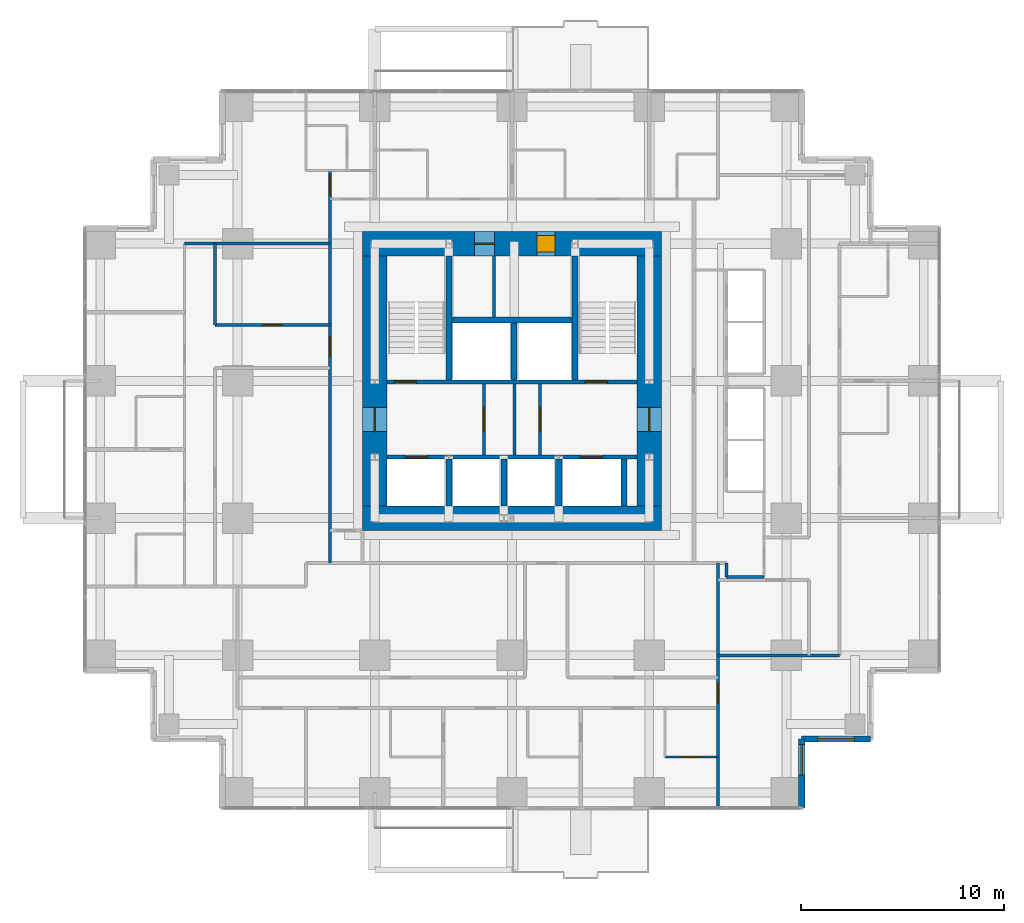
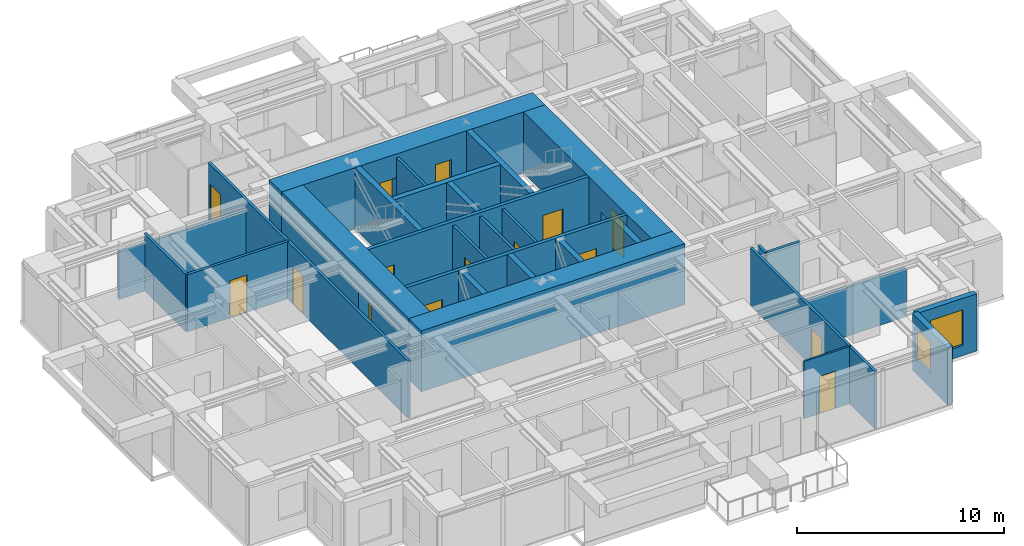
# One storey, part 8 of 12: 29 walls, 15 doors, 2 windows, 17 openings.
"""IFC4 building model written with IfcOpenShell, lengths in metres."""

from ifc_helpers import new_model, si_unit, direction, frame, frame_2d, origin, place, context, subcontext, project, spatial, rectangle, extrude, material, layer, layer_set, type_object, element, fill, save


model = new_model("IFC4")

# Units and contexts
model_context = context("Model", 3, precision=1e-05, world=origin(), true_north=direction((0.0, 1.0)))
body_context = subcontext(model_context, "Body", "Model", "MODEL_VIEW")
ifc_project = project(units=[si_unit("LENGTHUNIT", "METRE"), si_unit("AREAUNIT", "SQUARE_METRE"), si_unit("VOLUMEUNIT", "CUBIC_METRE"), si_unit("PLANEANGLEUNIT", "RADIAN"), si_unit("MASSUNIT", "GRAM", prefix="KILO")], contexts=[model_context])

# Site, building, storey
site_placement = place(None, origin())
site = spatial("IfcSite", under=ifc_project, at=site_placement, CompositionType="ELEMENT")
building_placement = place(site_placement, origin())
building = spatial("IfcBuilding", under=site, at=building_placement, Name="Nyansa Garden Tower", CompositionType="ELEMENT")
storey_placement = place(building_placement, frame((0.0, 0.0, 112.5)))
storey = spatial("IfcBuildingStorey", under=building, at=storey_placement, Name="L30", CompositionType="ELEMENT", Elevation=112.5)

# Wall, openings, doors
ifc_material_1 = material(Name="Concrete C70/85", Category="concrete")
ifc_layer_1 = layer(ifc_material_1, 0.199951171875)
ifc_layer_set_1 = layer_set([ifc_layer_1], Name="Core inner wall CI200")
wall_type_1 = type_object("IfcWallType", Name="Core inner wall CI200", PredefinedType="SHEAR", material=ifc_layer_set_1)
wall_1_placement = place(storey_placement, frame((14.10009765625, 16.5, 0.0), z_axis=(0.0, 0.0, 1.0), x_axis=(1.0, 0.0, 0.0)))
wall_1 = element("IfcWall", 1, at=wall_1_placement, inside=storey, type_object=wall_type_1, Name="Core inner wall L30", PredefinedType="SHEAR", context=body_context, shape_type="SweptSolid", body=[
    extrude(rectangle(XDim=12.2998046875, YDim=0.199951171875, at=frame_2d((6.14990234375, 0.0))), origin(), (0.0, 0.0, 1.0), 3.60009765625),
])
opening_1_placement = place(wall_1_placement, frame((0.89990234375, 0.0, 0.0)))
opening_1 = element("IfcOpeningElement", 2, at=opening_1_placement, cuts=wall_1, Name="Opening LD-F", PredefinedType="OPENING", context=body_context, shape_type="SweptSolid", body=[
    extrude(rectangle(XDim=1.10009765625, YDim=2.199951171875, at=frame_2d((0.550048828125, 1.10009765625))), frame((0.0, 0.10986328125, 0.0), z_axis=(0.0, -1.0, 0.0), x_axis=(1.0, 0.0, 0.0)), (0.0, 0.0, 1.0), 0.219970703125),
])
opening_2_placement = place(wall_1_placement, frame((9.5, 0.0, 0.0)))
opening_2 = element("IfcOpeningElement", 3, at=opening_2_placement, cuts=wall_1, Name="Opening LD-F", PredefinedType="OPENING", context=body_context, shape_type="SweptSolid", body=[
    extrude(rectangle(XDim=1.10009765625, YDim=2.199951171875, at=frame_2d((0.550048828125, 1.10009765625))), frame((0.0, 0.10986328125, 0.0), z_axis=(0.0, -1.0, 0.0), x_axis=(1.0, 0.0, 0.0)), (0.0, 0.0, 1.0), 0.219970703125),
])
ifc_material_2 = material(Name="Stainless steel centre-opening landing door of the firefighting lift, EN 81-72, E 120", Category="steel")
door_type_1 = type_object("IfcDoorType", Name="Lift landing door LD-F 1100x2200", OperationType="DOUBLE_DOOR_SLIDING", PredefinedType="DOOR", material=ifc_material_2)
door_1_placement = place(opening_1_placement, origin())
door_1 = element("IfcDoor", 4, at=door_1_placement, inside=storey, type_object=door_type_1, Name="Landing door FF1", OperationType="DOUBLE_DOOR_SLIDING", OverallHeight=2.199951171875, OverallWidth=1.10009765625, PredefinedType="DOOR", context=body_context, shape_type="SweptSolid", body=[
    extrude(rectangle(XDim=1.10009765625, YDim=2.199951171875, at=frame_2d((0.550048828125, 1.10009765625))), frame((0.0, 0.02490234375, 0.0), z_axis=(0.0, -1.0, 0.0), x_axis=(1.0, 0.0, 0.0)), (0.0, 0.0, 1.0), 0.050048828125),
])
fill(opening_1, door_1)
door_2_placement = place(opening_2_placement, origin())
door_2 = element("IfcDoor", 5, at=door_2_placement, inside=storey, type_object=door_type_1, Name="Landing door FF2", OperationType="DOUBLE_DOOR_SLIDING", OverallHeight=2.199951171875, OverallWidth=1.10009765625, PredefinedType="DOOR", context=body_context, shape_type="SweptSolid", body=[
    extrude(rectangle(XDim=1.10009765625, YDim=2.199951171875, at=frame_2d((0.550048828125, 1.10009765625))), frame((0.0, 0.02490234375, 0.0), z_axis=(0.0, -1.0, 0.0), x_axis=(1.0, 0.0, 0.0)), (0.0, 0.0, 1.0), 0.050048828125),
])
fill(opening_2, door_2)

wall_2_placement = place(storey_placement, frame((14.10009765625, 20.199951171875, 0.0), z_axis=(0.0, 0.0, 1.0), x_axis=(1.0, 0.0, 0.0)))
wall_2 = element("IfcWall", 6, at=wall_2_placement, inside=storey, type_object=wall_type_1, Name="Core inner wall L30", PredefinedType="SHEAR", context=body_context, shape_type="SweptSolid", body=[
    extrude(rectangle(XDim=12.2998046875, YDim=0.199951171875, at=frame_2d((6.14990234375, 0.0))), origin(), (0.0, 0.0, 1.0), 3.60009765625),
])
opening_3_placement = place(wall_2_placement, frame((0.35009765625, 0.0, 0.0)))
opening_3 = element("IfcOpeningElement", 7, at=opening_3_placement, cuts=wall_2, Name="Opening D05", PredefinedType="OPENING", context=body_context, shape_type="SweptSolid", body=[
    extrude(rectangle(XDim=1.10009765625, YDim=2.199951171875, at=frame_2d((0.550048828125, 1.10009765625))), frame((0.0, 0.10986328125, 0.0), z_axis=(0.0, -1.0, 0.0), x_axis=(1.0, 0.0, 0.0)), (0.0, 0.0, 1.0), 0.219970703125),
])
opening_4_placement = place(wall_2_placement, frame((9.75, 0.0, 0.0)))
opening_4 = element("IfcOpeningElement", 8, at=opening_4_placement, cuts=wall_2, Name="Opening D05", PredefinedType="OPENING", context=body_context, shape_type="SweptSolid", body=[
    extrude(rectangle(XDim=1.10009765625, YDim=2.199951171875, at=frame_2d((0.550048828125, 1.10009765625))), frame((0.0, 0.10986328125, 0.0), z_axis=(0.0, -1.0, 0.0), x_axis=(1.0, 0.0, 0.0)), (0.0, 0.0, 1.0), 0.219970703125),
])
ifc_material_3 = material(Name="Steel door, 120 minute fire resisting", Category="steel")
door_type_2 = type_object("IfcDoorType", Name="Stair door D05 1100x2200", OperationType="SINGLE_SWING_LEFT", PredefinedType="DOOR", material=ifc_material_3)
door_3_placement = place(opening_3_placement, origin())
door_3 = element("IfcDoor", 9, at=door_3_placement, inside=storey, type_object=door_type_2, Name="Stair S1 door", OperationType="SINGLE_SWING_LEFT", OverallHeight=2.199951171875, OverallWidth=1.10009765625, PredefinedType="DOOR", context=body_context, shape_type="SweptSolid", body=[
    extrude(rectangle(XDim=1.10009765625, YDim=2.199951171875, at=frame_2d((0.550048828125, 1.10009765625))), frame((0.0, 0.02490234375, 0.0), z_axis=(0.0, -1.0, 0.0), x_axis=(1.0, 0.0, 0.0)), (0.0, 0.0, 1.0), 0.050048828125),
])
fill(opening_3, door_3)
door_4_placement = place(opening_4_placement, origin())
door_4 = element("IfcDoor", 10, at=door_4_placement, inside=storey, type_object=door_type_2, Name="Stair S2 door", OperationType="SINGLE_SWING_LEFT", OverallHeight=2.199951171875, OverallWidth=1.10009765625, PredefinedType="DOOR", context=body_context, shape_type="SweptSolid", body=[
    extrude(rectangle(XDim=1.10009765625, YDim=2.199951171875, at=frame_2d((0.550048828125, 1.10009765625))), frame((0.0, 0.02490234375, 0.0), z_axis=(0.0, -1.0, 0.0), x_axis=(1.0, 0.0, 0.0)), (0.0, 0.0, 1.0), 0.050048828125),
])
fill(opening_4, door_4)

# Walls
ifc_material_4 = material(Name="Concrete C70/85", Category="concrete")
ifc_layer_2 = layer(ifc_material_4, 0.300048828125)
ifc_layer_set_2 = layer_set([ifc_layer_2], Name="Core inner wall CI300")
wall_type_2 = type_object("IfcWallType", Name="Core inner wall CI300", PredefinedType="SHEAR", material=ifc_layer_set_2)
for number, where, z_axis, x_axis, name in (
    (11, (17.14990234375, 20.300048828125, 0.0), (0.0, 0.0, 1.0), (0.0, 1.0, 0.0), "Core inner wall L30"),
    (12, (23.35009765625, 20.300048828125, 0.0), (0.0, 0.0, 1.0), (0.0, 1.0, 0.0), "Core inner wall L30"),
):
    element("IfcWall", number, at=place(storey_placement, frame(where, z_axis=z_axis, x_axis=x_axis)), inside=storey, type_object=wall_type_2, Name=name, PredefinedType="SHEAR", context=body_context, shape_type="SweptSolid", body=[
        extrude(rectangle(XDim=6.099853515625, YDim=0.300048828125, at=frame_2d((3.0498046875, 0.0))), origin(), (0.0, 0.0, 1.0), 3.60009765625),
    ])
wall_3_placement = place(storey_placement, frame((20.35009765625, 20.300048828125, 0.0), z_axis=(0.0, 0.0, 1.0), x_axis=(0.0, 1.0, 0.0)))
element("IfcWall", 13, at=wall_3_placement, inside=storey, type_object=wall_type_2, Name="Core inner wall L30", PredefinedType="SHEAR", context=body_context, shape_type="SweptSolid", body=[
    extrude(rectangle(XDim=2.800048828125, YDim=0.300048828125, at=frame_2d((1.39990234375, 0.0))), origin(), (0.0, 0.0, 1.0), 3.60009765625),
])
wall_4_placement = place(storey_placement, frame((17.300048828125, 23.25, 0.0), z_axis=(0.0, 0.0, 1.0), x_axis=(1.0, 0.0, 0.0)))
element("IfcWall", 14, at=wall_4_placement, inside=storey, type_object=wall_type_2, Name="Core inner wall L30", PredefinedType="SHEAR", context=body_context, shape_type="SweptSolid", body=[
    extrude(rectangle(XDim=5.89990234375, YDim=0.300048828125, at=frame_2d((2.949951171875, 0.0))), origin(), (0.0, 0.0, 1.0), 3.60009765625),
])
for number, where, z_axis, x_axis, name in (
    (15, (17.14990234375, 14.10009765625, 0.0), (0.0, 0.0, 1.0), (0.0, 1.0, 0.0), "Core inner wall L30"),
    (16, (19.85009765625, 14.10009765625, 0.0), (0.0, 0.0, 1.0), (0.0, 1.0, 0.0), "Core inner wall L30"),
    (17, (22.550048828125, 14.10009765625, 0.0), (0.0, 0.0, 1.0), (0.0, 1.0, 0.0), "Core inner wall L30"),
    (18, (25.75, 14.10009765625, 0.0), (0.0, 0.0, 1.0), (0.0, 1.0, 0.0), "Core inner wall L30"),
):
    element("IfcWall", number, at=place(storey_placement, frame(where, z_axis=z_axis, x_axis=x_axis)), inside=storey, type_object=wall_type_2, Name=name, PredefinedType="SHEAR", context=body_context, shape_type="SweptSolid", body=[
        extrude(rectangle(XDim=2.2998046875, YDim=0.300048828125, at=frame_2d((1.14990234375, 0.0))), origin(), (0.0, 0.0, 1.0), 3.60009765625),
    ])
ifc_material_5 = material(Name="Concrete C80/95", Category="concrete")
ifc_layer_3 = layer(ifc_material_5, 1.199951171875)
ifc_layer_set_3 = layer_set([ifc_layer_3], Name="Core wall CW1200")
wall_type_3 = type_object("IfcWallType", Name="Core wall CW1200", PredefinedType="SHEAR", material=ifc_layer_set_3)
wall_5_placement = place(storey_placement, frame((12.89990234375, 13.5, 0.0), z_axis=(0.0, 0.0, 1.0), x_axis=(1.0, 0.0, 0.0)))
element("IfcWall", 19, at=wall_5_placement, inside=storey, type_object=wall_type_3, Name="Core wall S L30", PredefinedType="SHEAR", context=body_context, shape_type="SweptSolid", body=[
    extrude(rectangle(XDim=14.7001953125, YDim=1.199951171875, at=frame_2d((7.35009765625, 0.0))), origin(), (0.0, 0.0, 1.0), 3.60009765625),
])

# Wall, opening, door
wall_6_placement = place(storey_placement, frame((27.0, 14.10009765625, 0.0), z_axis=(0.0, 0.0, 1.0), x_axis=(0.0, 1.0, 0.0)))
wall_6 = element("IfcWall", 20, at=wall_6_placement, inside=storey, type_object=wall_type_3, Name="Core wall E L30", PredefinedType="SHEAR", context=body_context, shape_type="SweptSolid", body=[
    extrude(rectangle(XDim=12.2998046875, YDim=1.199951171875, at=frame_2d((6.14990234375, 0.0))), origin(), (0.0, 0.0, 1.0), 3.60009765625),
])
opening_5_placement = place(wall_6_placement, frame((3.64990234375, 0.0, 0.0)))
opening_5 = element("IfcOpeningElement", 21, at=opening_5_placement, cuts=wall_6, Name="Opening D06", PredefinedType="OPENING", context=body_context, shape_type="SweptSolid", body=[
    extrude(rectangle(XDim=1.199951171875, YDim=2.199951171875, at=frame_2d((0.60009765625, 1.10009765625))), frame((0.0, 0.60986328125, 0.0), z_axis=(0.0, -1.0, 0.0), x_axis=(1.0, 0.0, 0.0)), (0.0, 0.0, 1.0), 1.219970703125),
])
ifc_material_6 = material(Name="Steel door, 120 minute fire resisting", Category="steel")
door_type_3 = type_object("IfcDoorType", Name="Lobby door D06 1200x2200", OperationType="DOUBLE_DOOR_SINGLE_SWING", PredefinedType="DOOR", material=ifc_material_6)
door_5_placement = place(opening_5_placement, origin())
door_5 = element("IfcDoor", 22, at=door_5_placement, inside=storey, type_object=door_type_3, Name="Lift lobby door east", OperationType="DOUBLE_DOOR_SINGLE_SWING", OverallHeight=2.199951171875, OverallWidth=1.199951171875, PredefinedType="DOOR", context=body_context, shape_type="SweptSolid", body=[
    extrude(rectangle(XDim=1.199951171875, YDim=2.199951171875, at=frame_2d((0.60009765625, 1.10009765625))), frame((0.0, 0.02490234375, 0.0), z_axis=(0.0, -1.0, 0.0), x_axis=(1.0, 0.0, 0.0)), (0.0, 0.0, 1.0), 0.050048828125),
])
fill(opening_5, door_5)

# Wall, openings, doors
wall_7_placement = place(storey_placement, frame((27.60009765625, 27.0, 0.0), z_axis=(0.0, 0.0, 1.0), x_axis=(-1.0, 0.0, 0.0)))
wall_7 = element("IfcWall", 23, at=wall_7_placement, inside=storey, type_object=wall_type_3, Name="Core wall N L30", PredefinedType="SHEAR", context=body_context, shape_type="SweptSolid", body=[
    extrude(rectangle(XDim=14.7001953125, YDim=1.199951171875, at=frame_2d((7.35009765625, 0.0))), origin(), (0.0, 0.0, 1.0), 3.60009765625),
])
opening_6_placement = place(wall_7_placement, frame((5.22509765625, 0.0, 0.0)))
opening_6 = element("IfcOpeningElement", 24, at=opening_6_placement, cuts=wall_7, Name="Opening D15", PredefinedType="OPENING", context=body_context, shape_type="SweptSolid", body=[
    extrude(rectangle(XDim=0.89990234375, YDim=2.199951171875, at=frame_2d((0.449951171875, 1.10009765625))), frame((0.0, 0.60986328125, 0.0), z_axis=(0.0, -1.0, 0.0), x_axis=(1.0, 0.0, 0.0)), (0.0, 0.0, 1.0), 1.219970703125),
])
opening_7_placement = place(wall_7_placement, frame((8.199951171875, 0.0, 0.0)))
opening_7 = element("IfcOpeningElement", 25, at=opening_7_placement, cuts=wall_7, Name="Opening D07", PredefinedType="OPENING", context=body_context, shape_type="SweptSolid", body=[
    extrude(rectangle(XDim=1.0, YDim=2.199951171875, at=frame_2d((0.5, 1.10009765625))), frame((0.0, 0.60986328125, 0.0), z_axis=(0.0, -1.0, 0.0), x_axis=(1.0, 0.0, 0.0)), (0.0, 0.0, 1.0), 1.219970703125),
])
ifc_material_7 = material(Name="Timber flush door, 60 minute fire resisting, self-closing", Category="wood")
door_type_4 = type_object("IfcDoorType", Name="Core room door D15 900x2200", OperationType="SINGLE_SWING_LEFT", PredefinedType="DOOR", material=ifc_material_7)
door_6_placement = place(opening_6_placement, origin())
door_6 = element("IfcDoor", 26, at=door_6_placement, inside=storey, type_object=door_type_4, Name="Core room door", OperationType="SINGLE_SWING_LEFT", OverallHeight=2.199951171875, OverallWidth=0.89990234375, PredefinedType="DOOR", context=body_context, shape_type="SweptSolid", body=[
    extrude(rectangle(XDim=0.89990234375, YDim=2.199951171875, at=frame_2d((0.449951171875, 1.10009765625))), frame((0.0, 0.39990234375, 0.0), z_axis=(0.0, -1.0, 0.0), x_axis=(1.0, 0.0, 0.0)), (0.0, 0.0, 1.0), 0.800048828125),
])
fill(opening_6, door_6)
ifc_material_8 = material(Name="Steel door, 120 minute fire resisting", Category="steel")
door_type_5 = type_object("IfcDoorType", Name="Riser door D07 1000x2200", OperationType="SINGLE_SWING_LEFT", PredefinedType="DOOR", material=ifc_material_8)
door_7_placement = place(opening_7_placement, origin())
door_7 = element("IfcDoor", 27, at=door_7_placement, inside=storey, type_object=door_type_5, Name="Riser and refuse room door", OperationType="SINGLE_SWING_LEFT", OverallHeight=2.199951171875, OverallWidth=1.0, PredefinedType="DOOR", context=body_context, shape_type="SweptSolid", body=[
    extrude(rectangle(XDim=1.0, YDim=2.199951171875, at=frame_2d((0.5, 1.10009765625))), frame((0.0, 0.02490234375, 0.0), z_axis=(0.0, -1.0, 0.0), x_axis=(1.0, 0.0, 0.0)), (0.0, 0.0, 1.0), 0.050048828125),
])
fill(opening_7, door_7)

# Wall, opening, door
wall_8_placement = place(storey_placement, frame((13.5, 26.39990234375, 0.0), z_axis=(0.0, 0.0, 1.0), x_axis=(0.0, -1.0, 0.0)))
wall_8 = element("IfcWall", 28, at=wall_8_placement, inside=storey, type_object=wall_type_3, Name="Core wall W L30", PredefinedType="SHEAR", context=body_context, shape_type="SweptSolid", body=[
    extrude(rectangle(XDim=12.2998046875, YDim=1.199951171875, at=frame_2d((6.14990234375, 0.0))), origin(), (0.0, 0.0, 1.0), 3.60009765625),
])
opening_8_placement = place(wall_8_placement, frame((7.449951171875, 0.0, 0.0)))
opening_8 = element("IfcOpeningElement", 29, at=opening_8_placement, cuts=wall_8, Name="Opening D06", PredefinedType="OPENING", context=body_context, shape_type="SweptSolid", body=[
    extrude(rectangle(XDim=1.199951171875, YDim=2.199951171875, at=frame_2d((0.60009765625, 1.10009765625))), frame((0.0, 0.60986328125, 0.0), z_axis=(0.0, -1.0, 0.0), x_axis=(1.0, 0.0, 0.0)), (0.0, 0.0, 1.0), 1.219970703125),
])
door_8_placement = place(opening_8_placement, origin())
door_8 = element("IfcDoor", 30, at=door_8_placement, inside=storey, type_object=door_type_3, Name="Lift lobby door west", OperationType="DOUBLE_DOOR_SINGLE_SWING", OverallHeight=2.199951171875, OverallWidth=1.199951171875, PredefinedType="DOOR", context=body_context, shape_type="SweptSolid", body=[
    extrude(rectangle(XDim=1.199951171875, YDim=2.199951171875, at=frame_2d((0.60009765625, 1.10009765625))), frame((0.0, 0.02490234375, 0.0), z_axis=(0.0, -1.0, 0.0), x_axis=(1.0, 0.0, 0.0)), (0.0, 0.0, 1.0), 0.050048828125),
])
fill(opening_8, door_8)

ifc_material_9 = material(Name="Blockwork, plastered both sides", Category="masonry")
ifc_layer_4 = layer(ifc_material_9, 0.14990234375)
ifc_layer_set_4 = layer_set([ifc_layer_4], Name="Partition PW150")
wall_type_4 = type_object("IfcWallType", Name="Partition PW150", PredefinedType="PARTITIONING", material=ifc_layer_set_4)
wall_9_placement = place(storey_placement, frame((18.875, 16.60009765625, 0.0), z_axis=(0.0, 0.0, 1.0), x_axis=(0.0, 1.0, 0.0)))
wall_9 = element("IfcWall", 31, at=wall_9_placement, inside=storey, type_object=wall_type_4, Name="Partition", PredefinedType="PARTITIONING", context=body_context, shape_type="SweptSolid", body=[
    extrude(rectangle(XDim=3.5, YDim=0.14990234375, at=frame_2d((1.75, 0.0))), origin(), (0.0, 0.0, 1.0), 3.375),
])
opening_9_placement = place(wall_9_placement, frame((1.14990234375, 0.0, 0.0)))
opening_9 = element("IfcOpeningElement", 32, at=opening_9_placement, cuts=wall_9, Name="Opening D06", PredefinedType="OPENING", context=body_context, shape_type="SweptSolid", body=[
    extrude(rectangle(XDim=1.199951171875, YDim=2.199951171875, at=frame_2d((0.60009765625, 1.10009765625))), frame((0.0, 0.0849609375, 0.0), z_axis=(0.0, -1.0, 0.0), x_axis=(1.0, 0.0, 0.0)), (0.0, 0.0, 1.0), 0.169921875),
])
door_9_placement = place(opening_9_placement, origin())
door_9 = element("IfcDoor", 33, at=door_9_placement, inside=storey, type_object=door_type_3, Name="Passenger lift lobby door", OperationType="DOUBLE_DOOR_SINGLE_SWING", OverallHeight=2.199951171875, OverallWidth=1.199951171875, PredefinedType="DOOR", context=body_context, shape_type="SweptSolid", body=[
    extrude(rectangle(XDim=1.199951171875, YDim=2.199951171875, at=frame_2d((0.60009765625, 1.10009765625))), frame((0.0, 0.02490234375, 0.0), z_axis=(0.0, -1.0, 0.0), x_axis=(1.0, 0.0, 0.0)), (0.0, 0.0, 1.0), 0.050048828125),
])
fill(opening_9, door_9)

wall_10_placement = place(storey_placement, frame((21.625, 16.60009765625, 0.0), z_axis=(0.0, 0.0, 1.0), x_axis=(0.0, 1.0, 0.0)))
wall_10 = element("IfcWall", 34, at=wall_10_placement, inside=storey, type_object=wall_type_4, Name="Partition", PredefinedType="PARTITIONING", context=body_context, shape_type="SweptSolid", body=[
    extrude(rectangle(XDim=3.5, YDim=0.14990234375, at=frame_2d((1.75, 0.0))), origin(), (0.0, 0.0, 1.0), 3.375),
])
opening_10_placement = place(wall_10_placement, frame((1.14990234375, 0.0, 0.0)))
opening_10 = element("IfcOpeningElement", 35, at=opening_10_placement, cuts=wall_10, Name="Opening D06", PredefinedType="OPENING", context=body_context, shape_type="SweptSolid", body=[
    extrude(rectangle(XDim=1.199951171875, YDim=2.199951171875, at=frame_2d((0.60009765625, 1.10009765625))), frame((0.0, 0.0849609375, 0.0), z_axis=(0.0, -1.0, 0.0), x_axis=(1.0, 0.0, 0.0)), (0.0, 0.0, 1.0), 0.169921875),
])
door_10_placement = place(opening_10_placement, origin())
door_10 = element("IfcDoor", 36, at=door_10_placement, inside=storey, type_object=door_type_3, Name="Passenger lift lobby door", OperationType="DOUBLE_DOOR_SINGLE_SWING", OverallHeight=2.199951171875, OverallWidth=1.199951171875, PredefinedType="DOOR", context=body_context, shape_type="SweptSolid", body=[
    extrude(rectangle(XDim=1.199951171875, YDim=2.199951171875, at=frame_2d((0.60009765625, 1.10009765625))), frame((0.0, 0.02490234375, 0.0), z_axis=(0.0, -1.0, 0.0), x_axis=(1.0, 0.0, 0.0)), (0.0, 0.0, 1.0), 0.050048828125),
])
fill(opening_10, door_10)

# Walls
wall_11_placement = place(storey_placement, frame((20.3798828125, 16.60009765625, 0.0), z_axis=(0.0, 0.0, 1.0), x_axis=(0.0, 1.0, 0.0)))
element("IfcWall", 37, at=wall_11_placement, inside=storey, type_object=wall_type_4, Name="Partition", PredefinedType="PARTITIONING", context=body_context, shape_type="SweptSolid", body=[
    extrude(rectangle(XDim=3.5, YDim=0.14990234375, at=frame_2d((1.75, 0.0))), origin(), (0.0, 0.0, 1.0), 3.375),
])
wall_12_placement = place(storey_placement, frame((19.375, 23.39990234375, 0.0), z_axis=(0.0, 0.0, 1.0), x_axis=(0.0, 1.0, 0.0)))
element("IfcWall", 38, at=wall_12_placement, inside=storey, type_object=wall_type_4, Name="Partition", PredefinedType="PARTITIONING", context=body_context, shape_type="SweptSolid", body=[
    extrude(rectangle(XDim=3.0, YDim=0.14990234375, at=frame_2d((1.5, 0.0))), origin(), (0.0, 0.0, 1.0), 3.375),
])
wall_13_placement = place(storey_placement, frame((4.14990234375, 27.0, 0.0), z_axis=(0.0, 0.0, 1.0), x_axis=(1.0, 0.0, 0.0)))
element("IfcWall", 39, at=wall_13_placement, inside=storey, type_object=wall_type_4, Name="Partition", PredefinedType="PARTITIONING", context=body_context, shape_type="SweptSolid", body=[
    extrude(rectangle(XDim=7.150146484375, YDim=0.14990234375, at=frame_2d((3.5751953125, 0.0))), origin(), (0.0, 0.0, 1.0), 2.805908203125),
])
wall_14_placement = place(storey_placement, frame((5.64990234375, 22.987548828125, 0.0), z_axis=(0.0, 0.0, 1.0), x_axis=(0.0, 1.0, 0.0)))
element("IfcWall", 40, at=wall_14_placement, inside=storey, type_object=wall_type_4, Name="Partition", PredefinedType="PARTITIONING", context=body_context, shape_type="SweptSolid", body=[
    extrude(rectangle(XDim=4.012451171875, YDim=0.14990234375, at=frame_2d((2.00634765625, 0.0))), origin(), (0.0, 0.0, 1.0), 3.375),
])

# Wall, opening, door
wall_15_placement = place(storey_placement, frame((5.64990234375, 22.988037109375, 0.0), z_axis=(0.0, 0.0, 1.0), x_axis=(1.0, 0.0, 0.0)))
wall_15 = element("IfcWall", 41, at=wall_15_placement, inside=storey, type_object=wall_type_4, Name="Partition", PredefinedType="PARTITIONING", context=body_context, shape_type="SweptSolid", body=[
    extrude(rectangle(XDim=5.650146484375, YDim=0.14990234375, at=frame_2d((2.8251953125, 0.0))), origin(), (0.0, 0.0, 1.0), 3.375),
])
opening_11_placement = place(wall_15_placement, frame((2.35009765625, 0.0, 0.0)))
opening_11 = element("IfcOpeningElement", 42, at=opening_11_placement, cuts=wall_15, Name="Opening D01", PredefinedType="OPENING", context=body_context, shape_type="SweptSolid", body=[
    extrude(rectangle(XDim=0.949951171875, YDim=2.199951171875, at=frame_2d((0.47509765625, 1.10009765625))), frame((0.0, 0.0849609375, 0.0), z_axis=(0.0, -1.0, 0.0), x_axis=(1.0, 0.0, 0.0)), (0.0, 0.0, 1.0), 0.169921875),
])
ifc_material_10 = material(Name="Timber flush door, 30 minute fire resisting", Category="wood")
door_type_6 = type_object("IfcDoorType", Name="Bedroom door D01 950x2200", OperationType="SINGLE_SWING_LEFT", PredefinedType="DOOR", material=ifc_material_10)
door_11_placement = place(opening_11_placement, origin())
door_11 = element("IfcDoor", 43, at=door_11_placement, inside=storey, type_object=door_type_6, Name="Door L30-053", OperationType="SINGLE_SWING_LEFT", OverallHeight=2.199951171875, OverallWidth=0.949951171875, PredefinedType="DOOR", context=body_context, shape_type="SweptSolid", body=[
    extrude(rectangle(XDim=0.949951171875, YDim=2.199951171875, at=frame_2d((0.47509765625, 1.10009765625))), frame((0.0, 0.02490234375, 0.0), z_axis=(0.0, -1.0, 0.0), x_axis=(1.0, 0.0, 0.0)), (0.0, 0.0, 1.0), 0.050048828125),
])
fill(opening_11, door_11)

# Wall, openings, doors
wall_16_placement = place(storey_placement, frame((11.300048828125, 11.300048828125, 0.0), z_axis=(0.0, 0.0, 1.0), x_axis=(0.0, 1.0, 0.0)))
wall_16 = element("IfcWall", 44, at=wall_16_placement, inside=storey, type_object=wall_type_4, Name="Partition", PredefinedType="PARTITIONING", context=body_context, shape_type="SweptSolid", body=[
    extrude(rectangle(XDim=19.300048828125, YDim=0.14990234375, at=frame_2d((9.64990234375, 0.0))), origin(), (0.0, 0.0, 1.0), 3.375),
])
opening_12_placement = place(wall_16_placement, frame((18.10009765625, 0.0, 0.0)))
opening_12 = element("IfcOpeningElement", 45, at=opening_12_placement, cuts=wall_16, Name="Opening D03", PredefinedType="OPENING", context=body_context, shape_type="SweptSolid", body=[
    extrude(rectangle(XDim=1.0, YDim=2.199951171875, at=frame_2d((0.5, 1.10009765625))), frame((0.0, 0.0849609375, 0.0), z_axis=(0.0, -1.0, 0.0), x_axis=(1.0, 0.0, 0.0)), (0.0, 0.0, 1.0), 0.169921875),
])
opening_13_placement = place(wall_16_placement, frame((10.137451171875, 0.0, 0.0)))
opening_13 = element("IfcOpeningElement", 46, at=opening_13_placement, cuts=wall_16, Name="Opening D03", PredefinedType="OPENING", context=body_context, shape_type="SweptSolid", body=[
    extrude(rectangle(XDim=1.0, YDim=2.199951171875, at=frame_2d((0.5, 1.10009765625))), frame((0.0, 0.0849609375, 0.0), z_axis=(0.0, -1.0, 0.0), x_axis=(1.0, 0.0, 0.0)), (0.0, 0.0, 1.0), 0.169921875),
])
ifc_material_11 = material(Name="Timber flush door, 60 minute fire resisting", Category="wood")
door_type_7 = type_object("IfcDoorType", Name="Cluster entrance door D03 1000x2200", OperationType="SINGLE_SWING_LEFT", PredefinedType="DOOR", material=ifc_material_11)
door_12_placement = place(opening_12_placement, origin())
door_12 = element("IfcDoor", 47, at=door_12_placement, inside=storey, type_object=door_type_7, Name="Door L30-046", OperationType="SINGLE_SWING_LEFT", OverallHeight=2.199951171875, OverallWidth=1.0, PredefinedType="DOOR", context=body_context, shape_type="SweptSolid", body=[
    extrude(rectangle(XDim=1.0, YDim=2.199951171875, at=frame_2d((0.5, 1.10009765625))), frame((0.0, 0.02490234375, 0.0), z_axis=(0.0, -1.0, 0.0), x_axis=(1.0, 0.0, 0.0)), (0.0, 0.0, 1.0), 0.050048828125),
])
fill(opening_12, door_12)
door_13_placement = place(opening_13_placement, origin())
door_13 = element("IfcDoor", 48, at=door_13_placement, inside=storey, type_object=door_type_7, Name="Door L30-051", OperationType="SINGLE_SWING_LEFT", OverallHeight=2.199951171875, OverallWidth=1.0, PredefinedType="DOOR", context=body_context, shape_type="SweptSolid", body=[
    extrude(rectangle(XDim=1.0, YDim=2.199951171875, at=frame_2d((0.5, 1.10009765625))), frame((0.0, 0.02490234375, 0.0), z_axis=(0.0, -1.0, 0.0), x_axis=(1.0, 0.0, 0.0)), (0.0, 0.0, 1.0), 0.050048828125),
])
fill(opening_13, door_13)

# Wall, opening, door
wall_17_placement = place(storey_placement, frame((30.375, -0.73388671875, 0.0), z_axis=(0.0, 0.0, 1.0), x_axis=(0.0, 1.0, 0.0)))
wall_17 = element("IfcWall", 49, at=wall_17_placement, inside=storey, type_object=wall_type_4, Name="Partition", PredefinedType="PARTITIONING", context=body_context, shape_type="SweptSolid", body=[
    extrude(rectangle(XDim=12.033935546875, YDim=0.14990234375, at=frame_2d((6.01708984375, 0.0))), origin(), (0.0, 0.0, 1.0), 3.375),
])
opening_14_placement = place(wall_17_placement, frame((5.134033203125, 0.0, 0.0)))
opening_14 = element("IfcOpeningElement", 50, at=opening_14_placement, cuts=wall_17, Name="Opening D03", PredefinedType="OPENING", context=body_context, shape_type="SweptSolid", body=[
    extrude(rectangle(XDim=1.0, YDim=2.199951171875, at=frame_2d((0.5, 1.10009765625))), frame((0.0, 0.0849609375, 0.0), z_axis=(0.0, -1.0, 0.0), x_axis=(1.0, 0.0, 0.0)), (0.0, 0.0, 1.0), 0.169921875),
])
door_14_placement = place(opening_14_placement, origin())
door_14 = element("IfcDoor", 51, at=door_14_placement, inside=storey, type_object=door_type_7, Name="Door L30-028", OperationType="SINGLE_SWING_LEFT", OverallHeight=2.199951171875, OverallWidth=1.0, PredefinedType="DOOR", context=body_context, shape_type="SweptSolid", body=[
    extrude(rectangle(XDim=1.0, YDim=2.199951171875, at=frame_2d((0.5, 1.10009765625))), frame((0.0, 0.02490234375, 0.0), z_axis=(0.0, -1.0, 0.0), x_axis=(1.0, 0.0, 0.0)), (0.0, 0.0, 1.0), 0.050048828125),
])
fill(opening_14, door_14)

# Walls
wall_18_placement = place(storey_placement, frame((30.375, 6.75, 0.0), z_axis=(0.0, 0.0, 1.0), x_axis=(1.0, 0.0, 0.0)))
element("IfcWall", 52, at=wall_18_placement, inside=storey, type_object=wall_type_4, Name="Partition", PredefinedType="PARTITIONING", context=body_context, shape_type="SweptSolid", body=[
    extrude(rectangle(XDim=5.97509765625, YDim=0.14990234375, at=frame_2d((2.987548828125, 0.0))), origin(), (0.0, 0.0, 1.0), 2.876953125),
])
wall_19_placement = place(storey_placement, frame((30.800048828125, 10.60009765625, 0.0), z_axis=(0.0, 0.0, 1.0), x_axis=(0.0, 1.0, 0.0)))
element("IfcWall", 53, at=wall_19_placement, inside=storey, type_object=wall_type_4, Name="Partition", PredefinedType="PARTITIONING", context=body_context, shape_type="SweptSolid", body=[
    extrude(rectangle(XDim=0.699951171875, YDim=0.14990234375, at=frame_2d((0.35009765625, 0.0))), origin(), (0.0, 0.0, 1.0), 3.375),
])
wall_20_placement = place(storey_placement, frame((30.800048828125, 10.60009765625, 0.0), z_axis=(0.0, 0.0, 1.0), x_axis=(1.0, 0.0, 0.0)))
element("IfcWall", 54, at=wall_20_placement, inside=storey, type_object=wall_type_4, Name="Partition", PredefinedType="PARTITIONING", context=body_context, shape_type="SweptSolid", body=[
    extrude(rectangle(XDim=1.849853515625, YDim=0.14990234375, at=frame_2d((0.9248046875, 0.0))), origin(), (0.0, 0.0, 1.0), 3.375),
])

# Wall, opening, window
ifc_material_12 = material(Name="Turquoise glazed tile on concrete blockwork", Category="masonry")
ifc_layer_5 = layer(ifc_material_12, 0.300048828125)
ifc_layer_set_5 = layer_set([ifc_layer_5], Name="Tiled corner wall TW300")
wall_type_5 = type_object("IfcWallType", Name="Tiled corner wall TW300", PredefinedType="SOLIDWALL", material=ifc_layer_set_5)
wall_21_placement = place(storey_placement, frame((34.5, -0.75, 0.0), z_axis=(0.0, 0.0, 1.0), x_axis=(0.0, 1.0, 0.0)))
wall_21 = element("IfcWall", 55, at=wall_21_placement, inside=storey, type_object=wall_type_5, Name="Tiled corner wall L30", PredefinedType="SOLIDWALL", context=body_context, shape_type="SweptSolid", body=[
    extrude(rectangle(XDim=3.375, YDim=0.300048828125, at=frame_2d((1.6875, 0.0))), origin(), (0.0, 0.0, 1.0), 3.375),
])
opening_15_placement = place(wall_21_placement, frame((1.607421875, 0.0, 0.89990234375)))
opening_15 = element("IfcOpeningElement", 56, at=opening_15_placement, cuts=wall_21, Name="Opening W1", PredefinedType="OPENING", context=body_context, shape_type="SweptSolid", body=[
    extrude(rectangle(XDim=1.5, YDim=1.800048828125, at=frame_2d((0.75, 0.89990234375))), frame((0.0, 0.159912109375, 0.0), z_axis=(0.0, -1.0, 0.0), x_axis=(1.0, 0.0, 0.0)), (0.0, 0.0, 1.0), 0.320068359375),
])
ifc_material_13 = material(Name="Black aluminium frame, dark tinted double glazing", Category="aluminium")
window_type_1 = type_object("IfcWindowType", Name="Window W1 1500x1800", PartitioningType="SINGLE_PANEL", PredefinedType="WINDOW", material=ifc_material_13)
window_1_placement = place(opening_15_placement, origin())
window_1 = element("IfcWindow", 57, at=window_1_placement, inside=storey, type_object=window_type_1, Name="Corner window L30", OverallHeight=1.800048828125, OverallWidth=1.5, PartitioningType="SINGLE_PANEL", PredefinedType="WINDOW", context=body_context, shape_type="SweptSolid", body=[
    extrude(rectangle(XDim=1.5, YDim=1.800048828125, at=frame_2d((0.75, 0.89990234375))), frame((0.0, 0.030029296875, 0.0), z_axis=(0.0, -1.0, 0.0), x_axis=(1.0, 0.0, 0.0)), (0.0, 0.0, 1.0), 0.06005859375),
])
fill(opening_15, window_1)

wall_22_placement = place(storey_placement, frame((34.5, 2.625, 0.0), z_axis=(0.0, 0.0, 1.0), x_axis=(1.0, 0.0, 0.0)))
wall_22 = element("IfcWall", 58, at=wall_22_placement, inside=storey, type_object=wall_type_5, Name="Tiled corner wall L30", PredefinedType="SOLIDWALL", context=body_context, shape_type="SweptSolid", body=[
    extrude(rectangle(XDim=3.375, YDim=0.300048828125, at=frame_2d((1.6875, 0.0))), origin(), (0.0, 0.0, 1.0), 3.375),
])
opening_16_placement = place(wall_22_placement, frame((0.78759765625, 0.0, 0.60009765625)))
opening_16 = element("IfcOpeningElement", 59, at=opening_16_placement, cuts=wall_22, Name="Opening W2", PredefinedType="OPENING", context=body_context, shape_type="SweptSolid", body=[
    extrude(rectangle(XDim=1.800048828125, YDim=2.10009765625, at=frame_2d((0.89990234375, 1.050048828125))), frame((0.0, 0.159912109375, 0.0), z_axis=(0.0, -1.0, 0.0), x_axis=(1.0, 0.0, 0.0)), (0.0, 0.0, 1.0), 0.320068359375),
])
ifc_material_14 = material(Name="Black aluminium frame, dark tinted double glazing", Category="aluminium")
window_type_2 = type_object("IfcWindowType", Name="Window W2 1800x2100", PartitioningType="SINGLE_PANEL", PredefinedType="WINDOW", material=ifc_material_14)
window_2_placement = place(opening_16_placement, origin())
window_2 = element("IfcWindow", 60, at=window_2_placement, inside=storey, type_object=window_type_2, Name="Corner window L30", OverallHeight=2.10009765625, OverallWidth=1.800048828125, PartitioningType="SINGLE_PANEL", PredefinedType="WINDOW", context=body_context, shape_type="SweptSolid", body=[
    extrude(rectangle(XDim=1.800048828125, YDim=2.10009765625, at=frame_2d((0.89990234375, 1.050048828125))), frame((0.0, 0.030029296875, 0.0), z_axis=(0.0, -1.0, 0.0), x_axis=(1.0, 0.0, 0.0)), (0.0, 0.0, 1.0), 0.06005859375),
])
fill(opening_16, window_2)

# Wall, opening, door
ifc_material_15 = material(Name="Moisture resistant board on steel studs, tiled", Category="steel")
ifc_layer_6 = layer(ifc_material_15, 0.10009765625)
ifc_layer_set_6 = layer_set([ifc_layer_6], Name="Wet wall PW100")
wall_type_6 = type_object("IfcWallType", Name="Wet wall PW100", PredefinedType="PARTITIONING", material=ifc_layer_set_6)
wall_23_placement = place(storey_placement, frame((27.77490234375, 1.75, 0.0), z_axis=(0.0, 0.0, 1.0), x_axis=(1.0, 0.0, 0.0)))
wall_23 = element("IfcWall", 61, at=wall_23_placement, inside=storey, type_object=wall_type_6, Name="Wet wall", PredefinedType="PARTITIONING", context=body_context, shape_type="SweptSolid", body=[
    extrude(rectangle(XDim=2.60009765625, YDim=0.10009765625, at=frame_2d((1.300048828125, 0.0))), origin(), (0.0, 0.0, 1.0), 3.375),
])
opening_17_placement = place(wall_23_placement, frame((0.85009765625, 0.0, 0.0)))
opening_17 = element("IfcOpeningElement", 62, at=opening_17_placement, cuts=wall_23, Name="Opening D02", PredefinedType="OPENING", context=body_context, shape_type="SweptSolid", body=[
    extrude(rectangle(XDim=0.89990234375, YDim=2.199951171875, at=frame_2d((0.449951171875, 1.10009765625))), frame((0.0, 0.06005859375, 0.0), z_axis=(0.0, -1.0, 0.0), x_axis=(1.0, 0.0, 0.0)), (0.0, 0.0, 1.0), 0.1201171875),
])
ifc_material_16 = material(Name="Timber flush door", Category="wood")
door_type_8 = type_object("IfcDoorType", Name="En-suite door D02 900x2200", OperationType="SINGLE_SWING_RIGHT", PredefinedType="DOOR", material=ifc_material_16)
door_15_placement = place(opening_17_placement, origin())
door_15 = element("IfcDoor", 63, at=door_15_placement, inside=storey, type_object=door_type_8, Name="Door L30-020", OperationType="SINGLE_SWING_RIGHT", OverallHeight=2.199951171875, OverallWidth=0.89990234375, PredefinedType="DOOR", context=body_context, shape_type="SweptSolid", body=[
    extrude(rectangle(XDim=0.89990234375, YDim=2.199951171875, at=frame_2d((0.449951171875, 1.10009765625))), frame((0.0, 0.02490234375, 0.0), z_axis=(0.0, -1.0, 0.0), x_axis=(1.0, 0.0, 0.0)), (0.0, 0.0, 1.0), 0.050048828125),
])
fill(opening_17, door_15)

save(model, "model.ifc")
